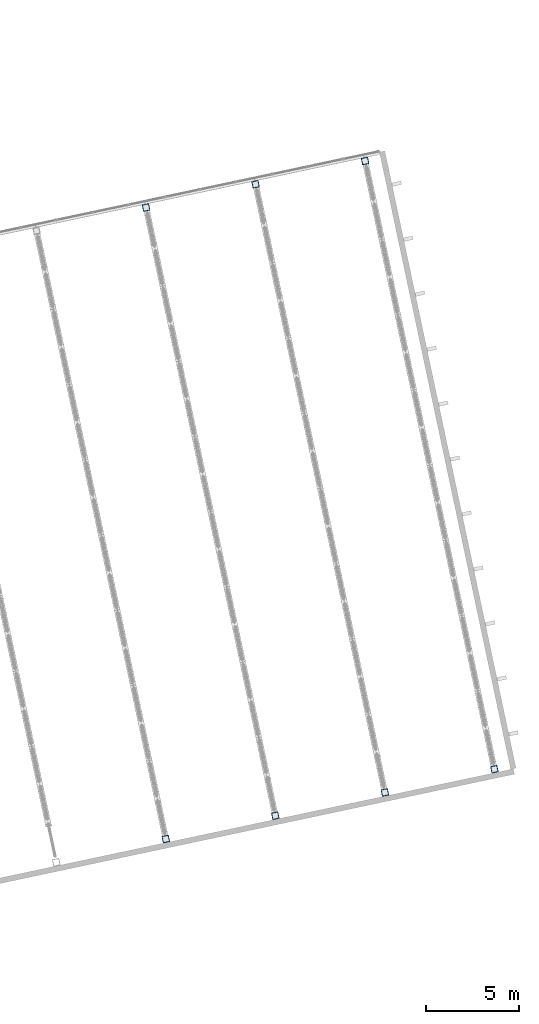
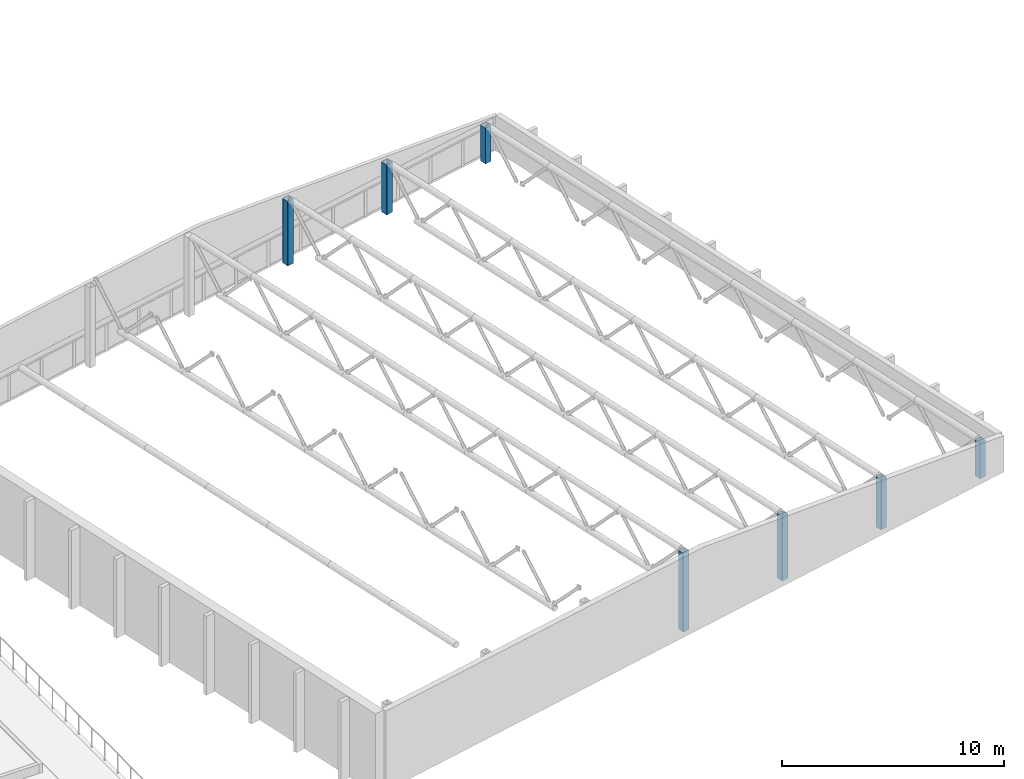
# One storey, part 9 of 58: 7 columns.
"""IFC4 building model written with IfcOpenShell, lengths in metres."""

from ifc_helpers import new_model, si_unit, direction, frame, origin, origin_2d, place, context, subcontext, project, spatial, hollow_rectangle, extrude, material, material_profile, profile_set, type_object, element, save


model = new_model("IFC4")

# Units and contexts
model_context = context("Model", 3, precision=1e-05, world=origin(), true_north=direction((0.0, 1.0)))
body_context = subcontext(model_context, "Body", "Model", "MODEL_VIEW")
ifc_project = project(units=[si_unit("LENGTHUNIT", "METRE"), si_unit("AREAUNIT", "SQUARE_METRE"), si_unit("VOLUMEUNIT", "CUBIC_METRE"), si_unit("PLANEANGLEUNIT", "RADIAN"), si_unit("MASSUNIT", "GRAM", prefix="KILO")], contexts=[model_context])

# Site, building, storey
site_placement = place(None, origin())
site = spatial("IfcSite", under=ifc_project, at=site_placement, CompositionType="ELEMENT")
building_placement = place(site_placement, origin())
building = spatial("IfcBuilding", under=site, at=building_placement, Name="Windward Yard Aquatics Centre", CompositionType="ELEMENT")
storey_placement = place(building_placement, frame((0.0, 0.0, 13.800048828125)))
storey = spatial("IfcBuildingStorey", under=building, at=storey_placement, Name="L03", CompositionType="ELEMENT", Elevation=13.800048828125)

# Columns
ifc_material = material(Name="Steel ASTM A500 Gr C", Category="steel")
ifc_material_profile = material_profile(ifc_material, hollow_rectangle(XDim=0.355712890625, YDim=0.355712890625, WallThickness=0.015869140625, InnerFilletRadius=0.008056640625, OuterFilletRadius=0.02392578125, at=origin_2d()), Name="HSS356X356X15.9")
ifc_profile_set = profile_set([ifc_material_profile], Name="Steel ASTM A500 Gr C")
column_type = type_object("IfcColumnType", Name="D column HSS356X356X15.9", PredefinedType="COLUMN", material=ifc_profile_set)
column_placement = place(storey_placement, frame((181.4638671875, 45.7041015625, 0.0), z_axis=(0.0, 0.0, 1.0), x_axis=(0.978147600734, 0.207911690818, 0.0)))
element("IfcColumn", 1, at=column_placement, inside=storey, type_object=column_type, Name="D.COL.4.1.5", PredefinedType="COLUMN", context=body_context, shape_type="SweptSolid", body=[
    extrude(hollow_rectangle(XDim=0.355712890625, YDim=0.355712890625, WallThickness=0.015869140625, InnerFilletRadius=0.008056640625, OuterFilletRadius=0.02392578125, at=origin_2d()), origin(), (0.0, 0.0, 1.0), 4.336181640625),
])
for number, where, z_axis, x_axis, name in (
    (2, (187.332763671875, 46.951416015625, 0.0), (0.0, 0.0, 1.0), (0.978147600734, 0.207911690818, 0.0), "D.COL.5.1.5"),
    (3, (180.405029296875, 79.54345703125, 0.0), (0.0, 0.0, 1.0), (0.978147600734, 0.207911690818, 0.0), "D.COL.5.2.5"),
):
    element("IfcColumn", number, at=place(storey_placement, frame(where, z_axis=z_axis, x_axis=x_axis)), inside=storey, type_object=column_type, Name=name, PredefinedType="COLUMN", context=body_context, shape_type="SweptSolid", body=[
        extrude(hollow_rectangle(XDim=0.355712890625, YDim=0.355712890625, WallThickness=0.015869140625, InnerFilletRadius=0.008056640625, OuterFilletRadius=0.02392578125, at=origin_2d()), origin(), (0.0, 0.0, 1.0), 3.546875),
    ])
for number, where, z_axis, x_axis, name in (
    (4, (193.20166015625, 48.198974609375, 0.0), (0.0, 0.0, 1.0), (0.978147600734, 0.207911690818, 0.0), "D.COL.6.1.5"),
    (5, (186.27392578125, 80.791015625, 0.0), (0.0, 0.0, 1.0), (0.978147600734, 0.207911690818, 0.0), "D.COL.6.2.5"),
):
    element("IfcColumn", number, at=place(storey_placement, frame(where, z_axis=z_axis, x_axis=x_axis)), inside=storey, type_object=column_type, Name=name, PredefinedType="COLUMN", context=body_context, shape_type="SweptSolid", body=[
        extrude(hollow_rectangle(XDim=0.355712890625, YDim=0.355712890625, WallThickness=0.015869140625, InnerFilletRadius=0.008056640625, OuterFilletRadius=0.02392578125, at=origin_2d()), origin(), (0.0, 0.0, 1.0), 2.75732421875),
    ])
for number, where, z_axis, x_axis, name in (
    (6, (199.070556640625, 49.446533203125, 0.0), (0.0, 0.0, 1.0), (0.978147600734, 0.207911690818, 0.0), "D.COL.7.1.5"),
    (7, (192.142822265625, 82.038330078125, 0.0), (0.0, 0.0, 1.0), (0.978147600734, 0.207911690818, 0.0), "D.COL.7.2.5"),
):
    element("IfcColumn", number, at=place(storey_placement, frame(where, z_axis=z_axis, x_axis=x_axis)), inside=storey, type_object=column_type, Name=name, PredefinedType="COLUMN", context=body_context, shape_type="SweptSolid", body=[
        extrude(hollow_rectangle(XDim=0.355712890625, YDim=0.355712890625, WallThickness=0.015869140625, InnerFilletRadius=0.008056640625, OuterFilletRadius=0.02392578125, at=origin_2d()), origin(), (0.0, 0.0, 1.0), 1.9677734375),
    ])

save(model, "model.ifc")
